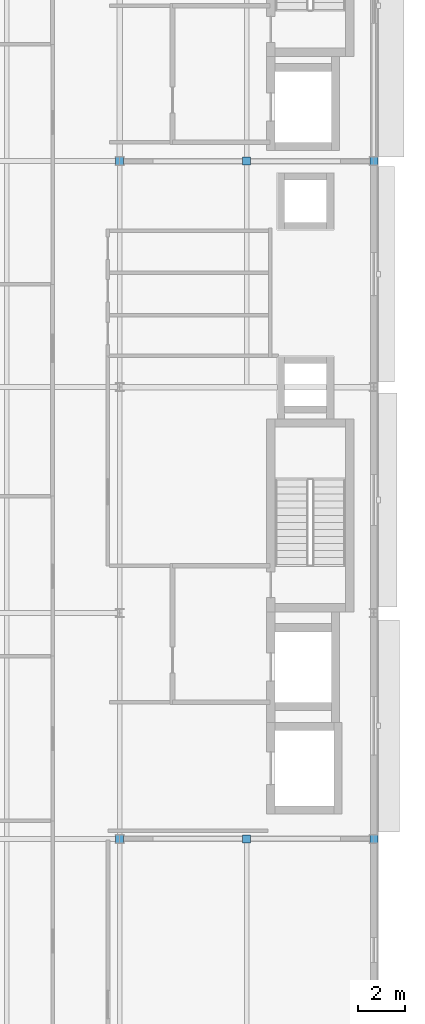
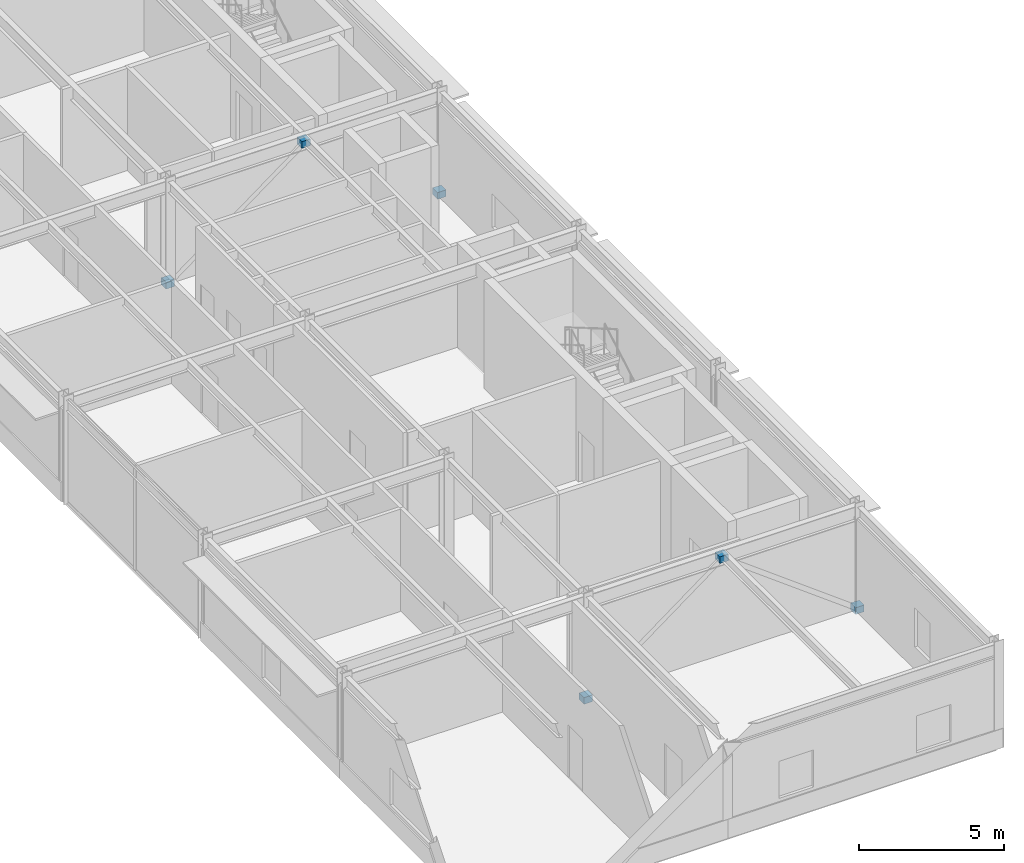
# One storey, part 59 of 89: 6 plates.
"""IFC4 building model written with IfcOpenShell, lengths in metres."""

from ifc_helpers import new_model, si_unit, direction, frame, origin, origin_2d, place, context, subcontext, project, spatial, rectangle, extrude, material, layer, layer_set, type_object, element, save


model = new_model("IFC4")

# Units and contexts
model_context = context("Model", 3, precision=1e-05, world=origin(), true_north=direction((0.0, 1.0)))
body_context = subcontext(model_context, "Body", "Model", "MODEL_VIEW")
ifc_project = project(units=[si_unit("LENGTHUNIT", "METRE"), si_unit("AREAUNIT", "SQUARE_METRE"), si_unit("VOLUMEUNIT", "CUBIC_METRE"), si_unit("PLANEANGLEUNIT", "RADIAN"), si_unit("MASSUNIT", "GRAM", prefix="KILO")], contexts=[model_context])

# Site, building, storey
site_placement = place(None, origin())
site = spatial("IfcSite", under=ifc_project, at=site_placement, CompositionType="ELEMENT")
building_placement = place(site_placement, origin())
building = spatial("IfcBuilding", under=site, at=building_placement, Name="Almandine Court Research Institute", CompositionType="ELEMENT")
storey_placement = place(building_placement, frame((0.0, 0.0, 18.89990234375)))
storey = spatial("IfcBuildingStorey", under=building, at=storey_placement, Name="L04", CompositionType="ELEMENT", Elevation=18.89990234375)

# Plates
ifc_material = material(Name="Steel ASTM A36", Category="steel")
ifc_layer = layer(ifc_material, 0.280029296875)
ifc_layer_set = layer_set([ifc_layer], Name="Steel ASTM A36")
plate_type = type_object("IfcPlateType", Name="Plate-NPI-03", PredefinedType="SHEET", material=ifc_layer_set)
for number, where, z_axis, x_axis, name in (
    (1, (163.199951171875, 15.60009765625, -0.1201171875), (0.0, 0.0, 1.0), (1.0, 0.0, 0.0), "L04 Seismic Brace Gusset Cap Plate V4-BF1-BL"),
    (2, (174.0, 15.60009765625, -0.1201171875), (0.0, 0.0, 1.0), (1.0, 0.0, 0.0), "L04 Seismic Brace Gusset Cap Plate V4-BF1-BR"),
    (3, (168.60009765625, 15.60009765625, 3.91015625), (0.0, 0.0, 1.0), (1.0, 0.0, 0.0), "L04 Seismic Brace Gusset Cap Plate V4-BF1-AP"),
    (4, (163.199951171875, 44.39990234375, -0.1201171875), (0.0, 0.0, 1.0), (1.0, 0.0, 0.0), "L04 Seismic Brace Gusset Cap Plate V4-BF2-BL"),
    (5, (174.0, 44.39990234375, -0.1201171875), (0.0, 0.0, 1.0), (1.0, 0.0, 0.0), "L04 Seismic Brace Gusset Cap Plate V4-BF2-BR"),
    (6, (168.60009765625, 44.39990234375, 3.91015625), (0.0, 0.0, 1.0), (1.0, 0.0, 0.0), "L04 Seismic Brace Gusset Cap Plate V4-BF2-AP"),
):
    element("IfcPlate", number, at=place(storey_placement, frame(where, z_axis=z_axis, x_axis=x_axis)), inside=storey, type_object=plate_type, Name=name, PredefinedType="SHEET", context=body_context, shape_type="SweptSolid", body=[
        extrude(rectangle(XDim=0.340087890625, YDim=0.340087890625, at=origin_2d()), origin(), (0.0, 0.0, 1.0), 0.280029296875),
    ])

save(model, "model.ifc")
